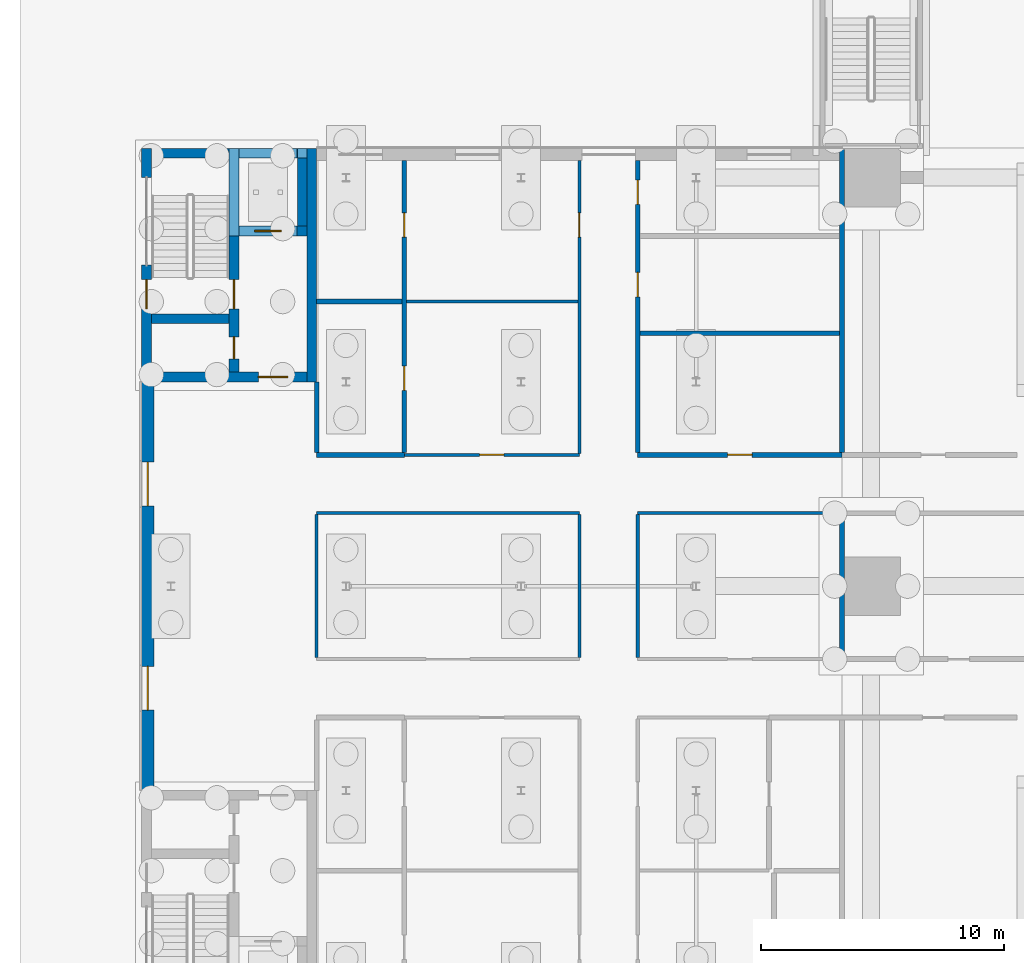
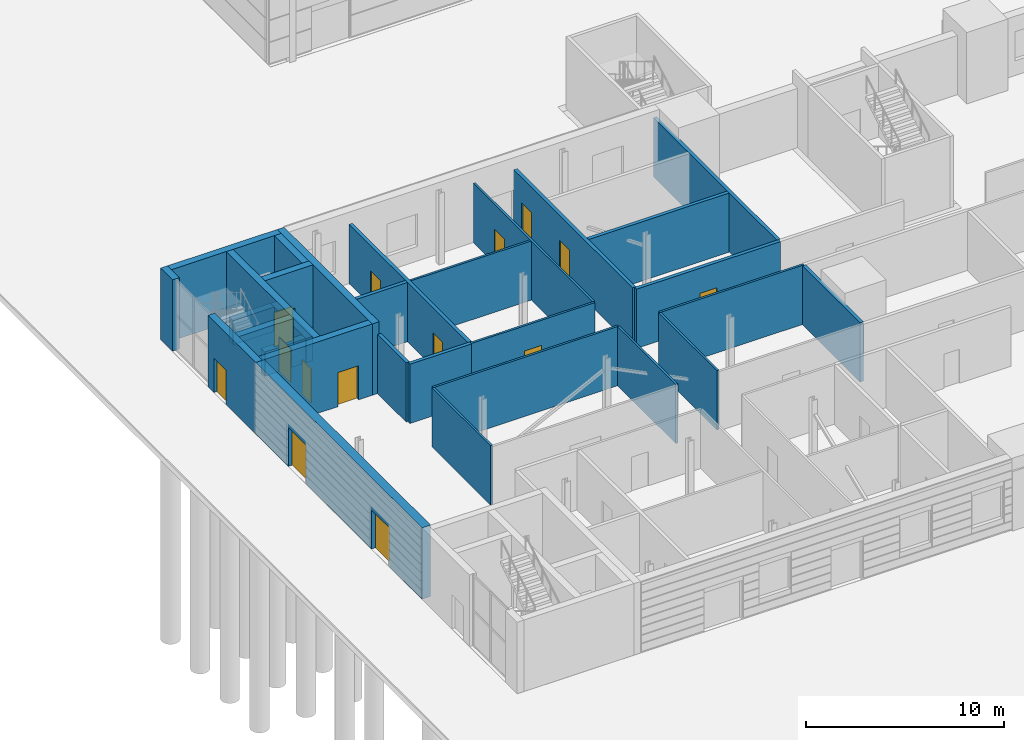
# One storey, part 79 of 139: 31 walls, 14 doors, 14 openings.
"""IFC4 building model written with IfcOpenShell, lengths in metres."""

import ifcopenshell
import ifcopenshell.guid

model = None  # the IFC model being written
_history = None  # IfcOwnerHistory: only IFC2X3 demands one
_inside = {}  # id of a spatial element -> (the spatial element, [elements in it])
_under = {}  # id of a project, library or spatial element -> (it, [spatial elements below it])
_declared = {}  # id of a project -> (the project, [libraries it declares])
_typed = {}  # id of a type object -> (the type object, [elements of that type])
_made_of = {}  # id of a material, layer set ... -> (it, [elements and type objects made of it])


def new_model(schema):
    """Start an empty IFC model of exactly this schema.

    Asked for "IFC4X3", IfcOpenShell would pick the latest addendum, in which some entities
    have other attributes; the version numbers below select the first issue.
    IFC2X3 requires an IfcOwnerHistory on every rooted entity: one is made here for all.
    """
    global model, _history
    if schema == "IFC4X3":
        model = ifcopenshell.file(schema_version=(4, 3, 0, 0))
    else:
        model = ifcopenshell.file(schema=schema)
    _inside.clear()
    _under.clear()
    _declared.clear()
    _typed.clear()
    _made_of.clear()
    _history = None
    if model.schema == "IFC2X3":
        org = make("IfcOrganization", Name="unknown")
        user = make(
            "IfcPersonAndOrganization",
            ThePerson=make("IfcPerson", FamilyName="unknown"),
            TheOrganization=org,
        )
        app = make(
            "IfcApplication",
            ApplicationDeveloper=org,
            Version="unknown",
            ApplicationFullName="unknown",
            ApplicationIdentifier="unknown",
        )
        _history = make(
            "IfcOwnerHistory",
            OwningUser=user,
            OwningApplication=app,
            ChangeAction="ADDED",
            CreationDate=0,
        )
    return model


def make(cls, **values):
    """One entity of the class cls with the attributes given. An attribute that is None is left unset."""
    return model.create_entity(
        cls, **{name: value for name, value in values.items() if value is not None}
    )


def rooted(cls, **values):
    """An entity with a GlobalId (a new one), such as an element, a storey or a relation."""
    return make(cls, GlobalId=ifcopenshell.guid.new(), OwnerHistory=_history, **values)


def si_unit(unit_type, name, prefix=None):
    """IfcSIUnit, for example si_unit("LENGTHUNIT", "METRE", prefix="MILLI")."""
    return make("IfcSIUnit", UnitType=unit_type, Prefix=prefix, Name=name)


def assignment(units):
    """IfcUnitAssignment: the units of a project."""
    return None if units is None else make("IfcUnitAssignment", Units=units)


def point(xyz):
    """IfcCartesianPoint."""
    return None if xyz is None else make("IfcCartesianPoint", Coordinates=xyz)


def direction(xyz):
    """IfcDirection."""
    return None if xyz is None else make("IfcDirection", DirectionRatios=xyz)


def frame(location, z_axis=None, x_axis=None):
    """IfcAxis2Placement3D, a coordinate frame: its origin and axes. An axis left out is left unset."""
    return make(
        "IfcAxis2Placement3D",
        Location=point(location),
        Axis=direction(z_axis),
        RefDirection=direction(x_axis),
    )


def frame_2d(location, x_axis=None):
    """IfcAxis2Placement2D, a coordinate frame in the plane: its origin and x axis."""
    return make(
        "IfcAxis2Placement2D", Location=point(location), RefDirection=direction(x_axis)
    )


def origin():
    """The frame at (0, 0, 0) with its axes left unset."""
    return frame((0.0, 0.0, 0.0))


def place(relative_to, where):
    """IfcLocalPlacement: puts the frame where relative to a parent placement (None: the world)."""
    return make(
        "IfcLocalPlacement", PlacementRelTo=relative_to, RelativePlacement=where
    )


def context(
    kind, dimensions, precision=None, world=None, true_north=None, identifier=None
):
    """IfcGeometricRepresentationContext, for example the 3D "Model" context."""
    return make(
        "IfcGeometricRepresentationContext",
        ContextIdentifier=identifier,
        ContextType=kind,
        CoordinateSpaceDimension=dimensions,
        Precision=precision,
        WorldCoordinateSystem=world,
        TrueNorth=true_north,
    )


def subcontext(parent, identifier, kind, view, scale=None):
    """IfcGeometricRepresentationSubContext, for example "Body" below "Model"."""
    return make(
        "IfcGeometricRepresentationSubContext",
        ContextIdentifier=identifier,
        ContextType=kind,
        ParentContext=parent,
        TargetScale=scale,
        TargetView=view,
    )


def project(units=None, contexts=None):
    """IfcProject with its units and contexts."""
    return rooted(
        "IfcProject",
        Name="project",
        RepresentationContexts=contexts,
        UnitsInContext=assignment(units),
    )


def spatial(cls, under=None, at=None, **own):
    """A site, building, storey or space (cls), placed at a placement, below another one or the project."""
    s = rooted(cls, ObjectPlacement=at, **own)
    if under is not None:
        _under.setdefault(under.id(), (under, []))[1].append(s)
    return s


def profile(cls, at=None, kind="AREA", **sizes):
    """A parametric profile (cls). Its sizes go by their IFC names, for example OverallWidth=200.0."""
    return make(cls, ProfileType=kind, Position=at, **sizes)


def rectangle(**sizes):
    """IfcRectangleProfileDef."""
    return profile("IfcRectangleProfileDef", **sizes)


def extrude(swept, where, along, depth):
    """IfcExtrudedAreaSolid: the profile swept, set in the frame where, extruded along a direction by depth."""
    return make(
        "IfcExtrudedAreaSolid",
        SweptArea=swept,
        Position=where,
        ExtrudedDirection=direction(along),
        Depth=depth,
    )


def shape(context_of_items, identifier, shape_type, items):
    """IfcShapeRepresentation: the items that make up one representation, for example the "Body"."""
    return make(
        "IfcShapeRepresentation",
        ContextOfItems=context_of_items,
        RepresentationIdentifier=identifier,
        RepresentationType=shape_type,
        Items=items,
    )


def material(Name=None, Category=None):
    """IfcMaterial."""
    return make("IfcMaterial", Name=Name, Category=Category)


def layer(
    of_material, thickness, ventilated=None, Name=None, Category=None, Priority=None
):
    """IfcMaterialLayer: one layer of a wall or slab, of a material (None: an air gap)."""
    return make(
        "IfcMaterialLayer",
        Material=of_material,
        LayerThickness=thickness,
        IsVentilated=ventilated,
        Name=Name,
        Category=Category,
        Priority=Priority,
    )


def layer_set(layers, Name=None):
    """IfcMaterialLayerSet."""
    return make("IfcMaterialLayerSet", MaterialLayers=layers, LayerSetName=Name)


def made_of(thing, what):
    """Note that an element or type object is made of a material, layer set ...; save() writes the relation."""
    if what is not None:
        _made_of.setdefault(what.id(), (what, []))[1].append(thing)
    return thing


def type_object(cls, material=None, **own):
    """A type object (cls), such as IfcWallType, which elements share."""
    return made_of(rooted(cls, **own), material)


def element(
    cls,
    number,
    at=None,
    inside=None,
    cuts=None,
    type_object=None,
    material=None,
    context=None,
    identifier="Body",
    shape_type=None,
    held_by="IfcProductDefinitionShape",
    body=None,
    shapes=None,
    **own,
):
    """One element of the class cls, such as IfcWall. Its Tag is "e" and its number.

    at: its placement. inside: the storey or other place that contains it. cuts: it is an
    opening in that element (IfcRelVoidsElement). A single representation is given by context,
    identifier, shape_type and body (its items); several are given by shapes. held_by: the class
    of the entity that holds the representations. save() writes the other relations.
    """
    e = rooted(cls, Tag="e%d" % number, ObjectPlacement=at, **own)
    if body is not None:
        shapes = [shape(context, identifier, shape_type, body)]
    if shapes is not None:
        e.Representation = make(held_by, Representations=shapes)
    if inside is not None:
        _inside.setdefault(inside.id(), (inside, []))[1].append(e)
    if cuts is not None:
        rooted(
            "IfcRelVoidsElement", RelatingBuildingElement=cuts, RelatedOpeningElement=e
        )
    if type_object is not None:
        _typed.setdefault(type_object.id(), (type_object, []))[1].append(e)
    return made_of(e, material)


def fill(opening, filler):
    """IfcRelFillsElement: the door or window that sits in an opening."""
    return rooted(
        "IfcRelFillsElement",
        RelatingOpeningElement=opening,
        RelatedBuildingElement=filler,
    )


def aggregate(whole, parts):
    """IfcRelAggregates: a whole, such as a stair, and the parts it consists of."""
    return rooted("IfcRelAggregates", RelatingObject=whole, RelatedObjects=parts)


def save(model, path):
    """Write the relations noted so far, then the file.

    IfcRelAggregates (storeys below a building ...), IfcRelContainedInSpatialStructure (elements
    in a storey), IfcRelDefinesByType, IfcRelAssociatesMaterial and IfcRelDeclares: one each for
    every whole, place, type object, material and project.
    """
    for whole, parts in _under.values():
        aggregate(whole, parts)
    for where, things in _inside.values():
        rooted(
            "IfcRelContainedInSpatialStructure",
            RelatedElements=things,
            RelatingStructure=where,
        )
    for kind, things in _typed.values():
        rooted("IfcRelDefinesByType", RelatedObjects=things, RelatingType=kind)
    for what, things in _made_of.values():
        rooted("IfcRelAssociatesMaterial", RelatedObjects=things, RelatingMaterial=what)
    for by, libraries in _declared.values():
        rooted("IfcRelDeclares", RelatingContext=by, RelatedDefinitions=libraries)
    model.write(path)


model = new_model("IFC4")

# Units and contexts
model_context = context("Model", 3, precision=1e-05, world=origin(), true_north=direction((0.0, 1.0)))
body_context = subcontext(model_context, "Body", "Model", "MODEL_VIEW")
ifc_project = project(units=[si_unit("LENGTHUNIT", "METRE"), si_unit("AREAUNIT", "SQUARE_METRE"), si_unit("VOLUMEUNIT", "CUBIC_METRE"), si_unit("PLANEANGLEUNIT", "RADIAN"), si_unit("MASSUNIT", "GRAM", prefix="KILO")], contexts=[model_context])

# Site, building, storey
site_placement = place(None, origin())
site = spatial("IfcSite", under=ifc_project, at=site_placement, CompositionType="ELEMENT")
building_placement = place(site_placement, origin())
building = spatial("IfcBuilding", under=site, at=building_placement, Name="Verrick Yard Athletic Hall", CompositionType="ELEMENT")
storey_placement = place(building_placement, origin())
storey = spatial("IfcBuildingStorey", under=building, at=storey_placement, Name="L00", CompositionType="ELEMENT", Elevation=0.0)

# Wall, openings, doors
ifc_material_1 = material(Name="Concrete 35 MPa", Category="concrete")
ifc_layer_1 = layer(ifc_material_1, 0.39990234375)
ifc_layer_set_1 = layer_set([ifc_layer_1], Name="Core wall CR400")
wall_type_1 = type_object("IfcWallType", Name="Core wall CR400", PredefinedType="SHEAR", material=ifc_layer_set_1)
wall_1_placement = place(storey_placement, frame((13.800048828125, 44.800048828125, 0.0), z_axis=(0.0, 0.0, 1.0), x_axis=(0.0, 1.0, 0.0)))
wall_1 = element("IfcWall", 1, at=wall_1_placement, inside=storey, type_object=wall_type_1, Name="CORE-CB2-WP-L00", PredefinedType="SHEAR", context=body_context, shape_type="SweptSolid", body=[
    extrude(rectangle(XDim=8.800048828125, YDim=0.39990234375, at=frame_2d((4.39990234375, 0.0))), origin(), (0.0, 0.0, 1.0), 4.39990234375),
])
opening_1_placement = place(wall_1_placement, frame((2.60009765625, 0.0, 0.0)))
opening_1 = element("IfcOpeningElement", 2, at=opening_1_placement, cuts=wall_1, Name="Opening SD1", PredefinedType="OPENING", context=body_context, shape_type="SweptSolid", body=[
    extrude(rectangle(XDim=1.199951171875, YDim=2.10009765625, at=frame_2d((0.60009765625, 1.050048828125))), frame((0.0, 0.2099609375, 0.0), z_axis=(0.0, -1.0, 0.0), x_axis=(1.0, 0.0, 0.0)), (0.0, 0.0, 1.0), 0.419921875),
])
opening_2_placement = place(wall_1_placement, frame((0.550048828125, 0.0, 0.0)))
opening_2 = element("IfcOpeningElement", 3, at=opening_2_placement, cuts=wall_1, Name="Opening RD1", PredefinedType="OPENING", context=body_context, shape_type="SweptSolid", body=[
    extrude(rectangle(XDim=0.89990234375, YDim=2.10009765625, at=frame_2d((0.449951171875, 1.050048828125))), frame((0.0, 0.2099609375, 0.0), z_axis=(0.0, -1.0, 0.0), x_axis=(1.0, 0.0, 0.0)), (0.0, 0.0, 1.0), 0.419921875),
])
ifc_material_2 = material(Name="Hollow metal door leaf")
door_type_1 = type_object("IfcDoorType", Name="Core door RD1 900x2100", OperationType="NOTDEFINED", PredefinedType="DOOR", material=ifc_material_2)
door_1_placement = place(opening_2_placement, origin())
door_1 = element("IfcDoor", 4, at=door_1_placement, inside=storey, type_object=door_type_1, Name="CORE-CB2-WP-L00-DRD1-4580", OperationType="SINGLE_SWING_RIGHT", OverallHeight=2.10009765625, OverallWidth=0.89990234375, PredefinedType="DOOR", context=body_context, shape_type="SweptSolid", body=[
    extrude(rectangle(XDim=0.89990234375, YDim=2.10009765625, at=frame_2d((0.449951171875, 1.050048828125))), frame((0.0, 0.02490234375, 0.0), z_axis=(0.0, -1.0, 0.0), x_axis=(1.0, 0.0, 0.0)), (0.0, 0.0, 1.0), 0.050048828125),
])
fill(opening_2, door_1)
door_type_2 = type_object("IfcDoorType", Name="Core door SD1 1200x2100", OperationType="NOTDEFINED", PredefinedType="DOOR", material=ifc_material_2)
door_2_placement = place(opening_1_placement, origin())
door_2 = element("IfcDoor", 5, at=door_2_placement, inside=storey, type_object=door_type_2, Name="CORE-CB2-WP-L00-DSD1-4800", OperationType="SINGLE_SWING_RIGHT", OverallHeight=2.10009765625, OverallWidth=1.199951171875, PredefinedType="DOOR", context=body_context, shape_type="SweptSolid", body=[
    extrude(rectangle(XDim=1.199951171875, YDim=2.10009765625, at=frame_2d((0.60009765625, 1.050048828125))), frame((0.0, 0.02490234375, 0.0), z_axis=(0.0, -1.0, 0.0), x_axis=(1.0, 0.0, 0.0)), (0.0, 0.0, 1.0), 0.050048828125),
])
fill(opening_1, door_2)

# Wall
wall_2_placement = place(storey_placement, frame((10.39990234375, 47.0, 0.0), z_axis=(0.0, 0.0, 1.0), x_axis=(1.0, 0.0, 0.0)))
element("IfcWall", 6, at=wall_2_placement, inside=storey, type_object=wall_type_1, Name="CORE-CB2-WSN-L00", PredefinedType="SHEAR", context=body_context, shape_type="SweptSolid", body=[
    extrude(rectangle(XDim=3.2001953125, YDim=0.39990234375, at=frame_2d((1.60009765625, 0.0))), origin(), (0.0, 0.0, 1.0), 4.39990234375),
])

# Wall, opening, door
wall_3_placement = place(storey_placement, frame((14.0, 50.60009765625, 0.0), z_axis=(0.0, 0.0, 1.0), x_axis=(1.0, 0.0, 0.0)))
wall_3 = element("IfcWall", 7, at=wall_3_placement, inside=storey, type_object=wall_type_1, Name="CORE-CB2-WLN-L00", PredefinedType="SHEAR", context=body_context, shape_type="SweptSolid", body=[
    extrude(rectangle(XDim=2.800048828125, YDim=0.39990234375, at=frame_2d((1.39990234375, 0.0))), origin(), (0.0, 0.0, 1.0), 4.39990234375),
])
opening_3_placement = place(wall_3_placement, frame((0.64990234375, 0.0, 0.0)))
opening_3 = element("IfcOpeningElement", 8, at=opening_3_placement, cuts=wall_3, Name="Opening LD", PredefinedType="OPENING", context=body_context, shape_type="SweptSolid", body=[
    extrude(rectangle(XDim=1.10009765625, YDim=2.10009765625, at=frame_2d((0.550048828125, 1.050048828125))), frame((0.0, 0.2099609375, 0.0), z_axis=(0.0, -1.0, 0.0), x_axis=(1.0, 0.0, 0.0)), (0.0, 0.0, 1.0), 0.419921875),
])
ifc_material_3 = material(Name="Stainless steel landing door", Category="steel")
door_type_3 = type_object("IfcDoorType", Name="Lift landing door LD 1100x2100", OperationType="NOTDEFINED", PredefinedType="DOOR", material=ifc_material_3)
door_3_placement = place(opening_3_placement, origin())
door_3 = element("IfcDoor", 9, at=door_3_placement, inside=storey, type_object=door_type_3, Name="Lift landing door", OperationType="SLIDING_TO_RIGHT", OverallHeight=2.10009765625, OverallWidth=1.10009765625, PredefinedType="DOOR", context=body_context, shape_type="SweptSolid", body=[
    extrude(rectangle(XDim=1.10009765625, YDim=2.10009765625, at=frame_2d((0.550048828125, 1.050048828125))), frame((0.0, 0.02490234375, 0.0), z_axis=(0.0, -1.0, 0.0), x_axis=(1.0, 0.0, 0.0)), (0.0, 0.0, 1.0), 0.050048828125),
])
fill(opening_3, door_3)

# Walls
wall_4_placement = place(storey_placement, frame((16.60009765625, 50.800048828125, 0.0), z_axis=(0.0, 0.0, 1.0), x_axis=(0.0, 1.0, 0.0)))
element("IfcWall", 10, at=wall_4_placement, inside=storey, type_object=wall_type_1, Name="CORE-CB2-WLE-L00", PredefinedType="SHEAR", context=body_context, shape_type="SweptSolid", body=[
    extrude(rectangle(XDim=2.800048828125, YDim=0.39990234375, at=frame_2d((1.39990234375, 0.0))), origin(), (0.0, 0.0, 1.0), 4.39990234375),
])
for number, where, z_axis, x_axis, name in (
    (11, (13.800048828125, 50.39990234375, -1.5), (0.0, 0.0, 1.0), (0.0, 1.0, 0.0), "CORE-LF-CB2-PWW"),
    (12, (16.60009765625, 50.39990234375, -1.5), (0.0, 0.0, 1.0), (0.0, 1.0, 0.0), "CORE-LF-CB2-PWE"),
):
    element("IfcWall", number, at=place(storey_placement, frame(where, z_axis=z_axis, x_axis=x_axis)), inside=storey, type_object=wall_type_1, Name=name, PredefinedType="SHEAR", context=body_context, shape_type="SweptSolid", body=[
        extrude(rectangle(XDim=3.60009765625, YDim=0.39990234375, at=frame_2d((1.800048828125, 0.0))), origin(), (0.0, 0.0, 1.0), 1.5),
    ])
for number, where, z_axis, x_axis, name in (
    (13, (14.0, 50.60009765625, -1.5), (0.0, 0.0, 1.0), (1.0, 0.0, 0.0), "CORE-LF-CB2-PWS"),
    (14, (14.0, 53.800048828125, -1.5), (0.0, 0.0, 1.0), (1.0, 0.0, 0.0), "CORE-LF-CB2-PWN"),
):
    element("IfcWall", number, at=place(storey_placement, frame(where, z_axis=z_axis, x_axis=x_axis)), inside=storey, type_object=wall_type_1, Name=name, PredefinedType="SHEAR", context=body_context, shape_type="SweptSolid", body=[
        extrude(rectangle(XDim=2.39990234375, YDim=0.39990234375, at=frame_2d((1.199951171875, 0.0))), origin(), (0.0, 0.0, 1.0), 1.5),
    ])

# Wall, opening, door
ifc_layer_2 = layer(ifc_material_1, 0.39990234375)
ifc_layer_set_2 = layer_set([ifc_layer_2], Name="External core wall CR400")
wall_type_2 = type_object("IfcWallType", Name="External core wall CR400", PredefinedType="SHEAR", material=ifc_layer_set_2)
wall_5_placement = place(storey_placement, frame((10.199951171875, 44.39990234375, 0.0), z_axis=(0.0, 0.0, 1.0), x_axis=(0.0, 1.0, 0.0)))
wall_5 = element("IfcWall", 15, at=wall_5_placement, inside=storey, type_object=wall_type_2, Name="CORE-CB2-WW-L00-0", PredefinedType="SHEAR", context=body_context, shape_type="SweptSolid", body=[
    extrude(rectangle(XDim=4.800048828125, YDim=0.39990234375, at=frame_2d((2.39990234375, 0.0))), origin(), (0.0, 0.0, 1.0), 4.39990234375),
])
opening_4_placement = place(wall_5_placement, frame((3.0, 0.0, 0.0)))
opening_4 = element("IfcOpeningElement", 16, at=opening_4_placement, cuts=wall_5, Name="Opening XD1", PredefinedType="OPENING", context=body_context, shape_type="SweptSolid", body=[
    extrude(rectangle(XDim=1.199951171875, YDim=2.10009765625, at=frame_2d((0.60009765625, 1.050048828125))), frame((0.0, 0.2099609375, 0.0), z_axis=(0.0, -1.0, 0.0), x_axis=(1.0, 0.0, 0.0)), (0.0, 0.0, 1.0), 0.419921875),
])
ifc_material_4 = material(Name="Aluminium door leaf", Category="aluminium")
door_type_4 = type_object("IfcDoorType", Name="Core door XD1 1200x2100", OperationType="NOTDEFINED", PredefinedType="DOOR", material=ifc_material_4)
door_4_placement = place(opening_4_placement, origin())
door_4 = element("IfcDoor", 17, at=door_4_placement, inside=storey, type_object=door_type_4, Name="CORE-CB2-WW-L00-0-DXD1-4800", OperationType="SINGLE_SWING_RIGHT", OverallHeight=2.10009765625, OverallWidth=1.199951171875, PredefinedType="DOOR", context=body_context, shape_type="SweptSolid", body=[
    extrude(rectangle(XDim=1.199951171875, YDim=2.10009765625, at=frame_2d((0.60009765625, 1.050048828125))), frame((0.0, 0.02490234375, 0.0), z_axis=(0.0, -1.0, 0.0), x_axis=(1.0, 0.0, 0.0)), (0.0, 0.0, 1.0), 0.050048828125),
])
fill(opening_4, door_4)

# Walls
wall_6_placement = place(storey_placement, frame((10.199951171875, 52.800048828125, 0.0), z_axis=(0.0, 0.0, 1.0), x_axis=(0.0, 1.0, 0.0)))
element("IfcWall", 18, at=wall_6_placement, inside=storey, type_object=wall_type_2, Name="CORE-CB2-WW-L00-1", PredefinedType="SHEAR", context=body_context, shape_type="SweptSolid", body=[
    extrude(rectangle(XDim=1.199951171875, YDim=0.39990234375, at=frame_2d((0.60009765625, 0.0))), origin(), (0.0, 0.0, 1.0), 4.39990234375),
])
wall_7_placement = place(storey_placement, frame((17.0, 44.39990234375, 0.0), z_axis=(0.0, 0.0, 1.0), x_axis=(0.0, 1.0, 0.0)))
element("IfcWall", 19, at=wall_7_placement, inside=storey, type_object=wall_type_2, Name="CORE-CB2-WE-L00", PredefinedType="SHEAR", context=body_context, shape_type="SweptSolid", body=[
    extrude(rectangle(XDim=9.60009765625, YDim=0.39990234375, at=frame_2d((4.800048828125, 0.0))), origin(), (0.0, 0.0, 1.0), 4.39990234375),
])
wall_8_placement = place(storey_placement, frame((10.39990234375, 53.800048828125, 0.0), z_axis=(0.0, 0.0, 1.0), x_axis=(1.0, 0.0, 0.0)))
element("IfcWall", 20, at=wall_8_placement, inside=storey, type_object=wall_type_2, Name="CORE-CB2-WS-L00", PredefinedType="SHEAR", context=body_context, shape_type="SweptSolid", body=[
    extrude(rectangle(XDim=6.400146484375, YDim=0.39990234375, at=frame_2d((3.2001953125, 0.0))), origin(), (0.0, 0.0, 1.0), 4.39990234375),
])

# Wall, opening, door
wall_9_placement = place(storey_placement, frame((10.39990234375, 44.60009765625, 0.0), z_axis=(0.0, 0.0, 1.0), x_axis=(1.0, 0.0, 0.0)))
wall_9 = element("IfcWall", 21, at=wall_9_placement, inside=storey, type_object=wall_type_2, Name="CORE-CB2-WN-L00", PredefinedType="SHEAR", context=body_context, shape_type="SweptSolid", body=[
    extrude(rectangle(XDim=6.400146484375, YDim=0.39990234375, at=frame_2d((3.2001953125, 0.0))), origin(), (0.0, 0.0, 1.0), 4.39990234375),
])
opening_5_placement = place(wall_9_placement, frame((4.39990234375, 0.0, 0.0)))
opening_5 = element("IfcOpeningElement", 22, at=opening_5_placement, cuts=wall_9, Name="Opening LB1", PredefinedType="OPENING", context=body_context, shape_type="SweptSolid", body=[
    extrude(rectangle(XDim=1.199951171875, YDim=2.10009765625, at=frame_2d((0.60009765625, 1.050048828125))), frame((0.0, 0.2099609375, 0.0), z_axis=(0.0, -1.0, 0.0), x_axis=(1.0, 0.0, 0.0)), (0.0, 0.0, 1.0), 0.419921875),
])
door_type_5 = type_object("IfcDoorType", Name="Core door LB1 1200x2100", OperationType="NOTDEFINED", PredefinedType="DOOR", material=ifc_material_2)
door_5_placement = place(opening_5_placement, origin())
door_5 = element("IfcDoor", 23, at=door_5_placement, inside=storey, type_object=door_type_5, Name="CORE-CB2-WN-L00-DLB1-1540", OperationType="SINGLE_SWING_RIGHT", OverallHeight=2.10009765625, OverallWidth=1.199951171875, PredefinedType="DOOR", context=body_context, shape_type="SweptSolid", body=[
    extrude(rectangle(XDim=1.199951171875, YDim=2.10009765625, at=frame_2d((0.60009765625, 1.050048828125))), frame((0.0, 0.02490234375, 0.0), z_axis=(0.0, -1.0, 0.0), x_axis=(1.0, 0.0, 0.0)), (0.0, 0.0, 1.0), 0.050048828125),
])
fill(opening_5, door_5)

# Wall
ifc_material_5 = material(Name="Concrete masonry block 15 MPa", Category="masonry")
ifc_layer_3 = layer(ifc_material_5, 0.199951171875)
ifc_layer_set_3 = layer_set([ifc_layer_3], Name="PW1 Block partition 200")
wall_type_3 = type_object("IfcWallType", Name="PW1 Block partition 200", PredefinedType="PARTITIONING", material=ifc_layer_set_3)
wall_10_placement = place(storey_placement, frame((17.199951171875, 41.39990234375, 0.0), z_axis=(0.0, 0.0, 1.0), x_axis=(1.0, 0.0, 0.0)))
element("IfcWall", 24, at=wall_10_placement, inside=storey, type_object=wall_type_3, Name="Partition PW1", PredefinedType="PARTITIONING", context=body_context, shape_type="SweptSolid", body=[
    extrude(rectangle(XDim=3.60009765625, YDim=0.199951171875, at=frame_2d((1.800048828125, 0.0))), origin(), (0.0, 0.0, 1.0), 3.64990234375),
])

# Wall, opening, door
wall_11_placement = place(storey_placement, frame((30.39990234375, 41.39990234375, 0.0), z_axis=(0.0, 0.0, 1.0), x_axis=(1.0, 0.0, 0.0)))
wall_11 = element("IfcWall", 25, at=wall_11_placement, inside=storey, type_object=wall_type_3, Name="Partition PW1", PredefinedType="PARTITIONING", context=body_context, shape_type="SweptSolid", body=[
    extrude(rectangle(XDim=8.400146484375, YDim=0.199951171875, at=frame_2d((4.2001953125, 0.0))), origin(), (0.0, 0.0, 1.0), 3.64990234375),
])
opening_6_placement = place(wall_11_placement, frame((3.699951171875, 0.0, 0.0)))
opening_6 = element("IfcOpeningElement", 26, at=opening_6_placement, cuts=wall_11, Name="Opening D1", PredefinedType="OPENING", context=body_context, shape_type="SweptSolid", body=[
    extrude(rectangle(XDim=1.0, YDim=2.10009765625, at=frame_2d((0.5, 1.050048828125))), frame((0.0, 0.10986328125, 0.0), z_axis=(0.0, -1.0, 0.0), x_axis=(1.0, 0.0, 0.0)), (0.0, 0.0, 1.0), 0.219970703125),
])
ifc_material_6 = material(Name="Timber door leaf in steel frame", Category="steel")
door_type_6 = type_object("IfcDoorType", Name="D1 Single door 1000 x 2100", OperationType="NOTDEFINED", PredefinedType="DOOR", material=ifc_material_6)
door_6_placement = place(opening_6_placement, origin())
door_6 = element("IfcDoor", 27, at=door_6_placement, inside=storey, type_object=door_type_6, Name="D1 WC Women", OperationType="SINGLE_SWING_LEFT", OverallHeight=2.10009765625, OverallWidth=1.0, PredefinedType="DOOR", context=body_context, shape_type="SweptSolid", body=[
    extrude(rectangle(XDim=1.0, YDim=2.10009765625, at=frame_2d((0.5, 1.050048828125))), frame((0.0, 0.02490234375, 0.0), z_axis=(0.0, -1.0, 0.0), x_axis=(1.0, 0.0, 0.0)), (0.0, 0.0, 1.0), 0.050048828125),
])
fill(opening_6, door_6)

# Walls
wall_12_placement = place(storey_placement, frame((30.5, 46.39990234375, 0.0), z_axis=(0.0, 0.0, 1.0), x_axis=(1.0, 0.0, 0.0)))
element("IfcWall", 28, at=wall_12_placement, inside=storey, type_object=wall_type_3, Name="Partition PW1", PredefinedType="PARTITIONING", context=body_context, shape_type="SweptSolid", body=[
    extrude(rectangle(XDim=8.199951171875, YDim=0.199951171875, at=frame_2d((4.10009765625, 0.0))), origin(), (0.0, 0.0, 1.0), 3.64990234375),
])
wall_13_placement = place(storey_placement, frame((17.199951171875, 47.699951171875, 0.0), z_axis=(0.0, 0.0, 1.0), x_axis=(1.0, 0.0, 0.0)))
element("IfcWall", 29, at=wall_13_placement, inside=storey, type_object=wall_type_3, Name="Partition PW1", PredefinedType="PARTITIONING", context=body_context, shape_type="SweptSolid", body=[
    extrude(rectangle(XDim=3.5, YDim=0.199951171875, at=frame_2d((1.75, 0.0))), origin(), (0.0, 0.0, 1.0), 3.64990234375),
])
wall_14_placement = place(storey_placement, frame((17.199951171875, 41.5, 0.0), z_axis=(0.0, 0.0, 1.0), x_axis=(0.0, 1.0, 0.0)))
element("IfcWall", 30, at=wall_14_placement, inside=storey, type_object=wall_type_3, Name="Partition PW1", PredefinedType="PARTITIONING", context=body_context, shape_type="SweptSolid", body=[
    extrude(rectangle(XDim=2.89990234375, YDim=0.199951171875, at=frame_2d((1.449951171875, 0.0))), origin(), (0.0, 0.0, 1.0), 3.64990234375),
])

# Wall, openings, doors
wall_15_placement = place(storey_placement, frame((20.800048828125, 41.5, 0.0), z_axis=(0.0, 0.0, 1.0), x_axis=(0.0, 1.0, 0.0)))
wall_15 = element("IfcWall", 31, at=wall_15_placement, inside=storey, type_object=wall_type_3, Name="Partition PW1", PredefinedType="PARTITIONING", context=body_context, shape_type="SweptSolid", body=[
    extrude(rectangle(XDim=12.010009765625, YDim=0.199951171875, at=frame_2d((6.0048828125, 0.0))), origin(), (0.0, 0.0, 1.0), 3.64990234375),
])
opening_7_placement = place(wall_15_placement, frame((2.550048828125, 0.0, 0.0)))
opening_7 = element("IfcOpeningElement", 32, at=opening_7_placement, cuts=wall_15, Name="Opening D1", PredefinedType="OPENING", context=body_context, shape_type="SweptSolid", body=[
    extrude(rectangle(XDim=1.0, YDim=2.10009765625, at=frame_2d((0.5, 1.050048828125))), frame((0.0, 0.10986328125, 0.0), z_axis=(0.0, -1.0, 0.0), x_axis=(1.0, 0.0, 0.0)), (0.0, 0.0, 1.0), 0.219970703125),
])
opening_8_placement = place(wall_15_placement, frame((8.85009765625, 0.0, 0.0)))
opening_8 = element("IfcOpeningElement", 33, at=opening_8_placement, cuts=wall_15, Name="Opening D1", PredefinedType="OPENING", context=body_context, shape_type="SweptSolid", body=[
    extrude(rectangle(XDim=1.0, YDim=2.10009765625, at=frame_2d((0.5, 1.050048828125))), frame((0.0, 0.10986328125, 0.0), z_axis=(0.0, -1.0, 0.0), x_axis=(1.0, 0.0, 0.0)), (0.0, 0.0, 1.0), 0.219970703125),
])
door_7_placement = place(opening_7_placement, origin())
door_7 = element("IfcDoor", 34, at=door_7_placement, inside=storey, type_object=door_type_6, Name="D1 Shower Room 3", OperationType="SINGLE_SWING_LEFT", OverallHeight=2.10009765625, OverallWidth=1.0, PredefinedType="DOOR", context=body_context, shape_type="SweptSolid", body=[
    extrude(rectangle(XDim=1.0, YDim=2.10009765625, at=frame_2d((0.5, 1.050048828125))), frame((0.0, 0.02490234375, 0.0), z_axis=(0.0, -1.0, 0.0), x_axis=(1.0, 0.0, 0.0)), (0.0, 0.0, 1.0), 0.050048828125),
])
fill(opening_7, door_7)
door_8_placement = place(opening_8_placement, origin())
door_8 = element("IfcDoor", 35, at=door_8_placement, inside=storey, type_object=door_type_6, Name="D1 Shower Room 4", OperationType="SINGLE_SWING_LEFT", OverallHeight=2.10009765625, OverallWidth=1.0, PredefinedType="DOOR", context=body_context, shape_type="SweptSolid", body=[
    extrude(rectangle(XDim=1.0, YDim=2.10009765625, at=frame_2d((0.5, 1.050048828125))), frame((0.0, 0.02490234375, 0.0), z_axis=(0.0, -1.0, 0.0), x_axis=(1.0, 0.0, 0.0)), (0.0, 0.0, 1.0), 0.050048828125),
])
fill(opening_8, door_8)

wall_16_placement = place(storey_placement, frame((30.39990234375, 41.5, 0.0), z_axis=(0.0, 0.0, 1.0), x_axis=(0.0, 1.0, 0.0)))
wall_16 = element("IfcWall", 36, at=wall_16_placement, inside=storey, type_object=wall_type_3, Name="Partition PW1", PredefinedType="PARTITIONING", context=body_context, shape_type="SweptSolid", body=[
    extrude(rectangle(XDim=12.010009765625, YDim=0.199951171875, at=frame_2d((6.0048828125, 0.0))), origin(), (0.0, 0.0, 1.0), 3.64990234375),
])
opening_9_placement = place(wall_16_placement, frame((6.39990234375, 0.0, 0.0)))
opening_9 = element("IfcOpeningElement", 37, at=opening_9_placement, cuts=wall_16, Name="Opening D1", PredefinedType="OPENING", context=body_context, shape_type="SweptSolid", body=[
    extrude(rectangle(XDim=1.0, YDim=2.10009765625, at=frame_2d((0.5, 1.050048828125))), frame((0.0, 0.10986328125, 0.0), z_axis=(0.0, -1.0, 0.0), x_axis=(1.0, 0.0, 0.0)), (0.0, 0.0, 1.0), 0.219970703125),
])
opening_10_placement = place(wall_16_placement, frame((10.199951171875, 0.0, 0.0)))
opening_10 = element("IfcOpeningElement", 38, at=opening_10_placement, cuts=wall_16, Name="Opening D1", PredefinedType="OPENING", context=body_context, shape_type="SweptSolid", body=[
    extrude(rectangle(XDim=1.0, YDim=2.10009765625, at=frame_2d((0.5, 1.050048828125))), frame((0.0, 0.10986328125, 0.0), z_axis=(0.0, -1.0, 0.0), x_axis=(1.0, 0.0, 0.0)), (0.0, 0.0, 1.0), 0.219970703125),
])
door_9_placement = place(opening_9_placement, origin())
door_9 = element("IfcDoor", 39, at=door_9_placement, inside=storey, type_object=door_type_6, Name="D1 WC Men", OperationType="SINGLE_SWING_LEFT", OverallHeight=2.10009765625, OverallWidth=1.0, PredefinedType="DOOR", context=body_context, shape_type="SweptSolid", body=[
    extrude(rectangle(XDim=1.0, YDim=2.10009765625, at=frame_2d((0.5, 1.050048828125))), frame((0.0, 0.02490234375, 0.0), z_axis=(0.0, -1.0, 0.0), x_axis=(1.0, 0.0, 0.0)), (0.0, 0.0, 1.0), 0.050048828125),
])
fill(opening_9, door_9)
door_10_placement = place(opening_10_placement, origin())
door_10 = element("IfcDoor", 40, at=door_10_placement, inside=storey, type_object=door_type_6, Name="D1 Accessible WC", OperationType="SINGLE_SWING_RIGHT", OverallHeight=2.10009765625, OverallWidth=1.0, PredefinedType="DOOR", context=body_context, shape_type="SweptSolid", body=[
    extrude(rectangle(XDim=1.0, YDim=2.10009765625, at=frame_2d((0.5, 1.050048828125))), frame((0.0, 0.02490234375, 0.0), z_axis=(0.0, -1.0, 0.0), x_axis=(1.0, 0.0, 0.0)), (0.0, 0.0, 1.0), 0.050048828125),
])
fill(opening_10, door_10)

# Walls
ifc_material_7 = material(Name="Gypsum plasterboard on light-gauge studs")
ifc_layer_4 = layer(ifc_material_7, 0.125)
ifc_layer_set_4 = layer_set([ifc_layer_4], Name="PW2 Stud partition 125")
wall_type_4 = type_object("IfcWallType", Name="PW2 Stud partition 125", PredefinedType="PARTITIONING", material=ifc_layer_set_4)
wall_17_placement = place(storey_placement, frame((17.199951171875, 39.0, 0.0), z_axis=(0.0, 0.0, 1.0), x_axis=(1.0, 0.0, 0.0)))
element("IfcWall", 41, at=wall_17_placement, inside=storey, type_object=wall_type_4, Name="Partition PW2", PredefinedType="PARTITIONING", context=body_context, shape_type="SweptSolid", body=[
    extrude(rectangle(XDim=10.800048828125, YDim=0.125, at=frame_2d((5.39990234375, 0.0))), origin(), (0.0, 0.0, 1.0), 3.64990234375),
])
wall_18_placement = place(storey_placement, frame((30.39990234375, 39.0, 0.0), z_axis=(0.0, 0.0, 1.0), x_axis=(1.0, 0.0, 0.0)))
element("IfcWall", 42, at=wall_18_placement, inside=storey, type_object=wall_type_4, Name="Partition PW2", PredefinedType="PARTITIONING", context=body_context, shape_type="SweptSolid", body=[
    extrude(rectangle(XDim=8.400146484375, YDim=0.125, at=frame_2d((4.2001953125, 0.0))), origin(), (0.0, 0.0, 1.0), 3.64990234375),
])

# Wall, opening, door
wall_19_placement = place(storey_placement, frame((20.800048828125, 41.39990234375, 0.0), z_axis=(0.0, 0.0, 1.0), x_axis=(1.0, 0.0, 0.0)))
wall_19 = element("IfcWall", 43, at=wall_19_placement, inside=storey, type_object=wall_type_4, Name="Partition PW2", PredefinedType="PARTITIONING", context=body_context, shape_type="SweptSolid", body=[
    extrude(rectangle(XDim=7.199951171875, YDim=0.125, at=frame_2d((3.60009765625, 0.0))), origin(), (0.0, 0.0, 1.0), 3.64990234375),
])
opening_11_placement = place(wall_19_placement, frame((3.10009765625, 0.0, 0.0)))
opening_11 = element("IfcOpeningElement", 44, at=opening_11_placement, cuts=wall_19, Name="Opening D1", PredefinedType="OPENING", context=body_context, shape_type="SweptSolid", body=[
    extrude(rectangle(XDim=1.0, YDim=2.10009765625, at=frame_2d((0.5, 1.050048828125))), frame((0.0, 0.072509765625, 0.0), z_axis=(0.0, -1.0, 0.0), x_axis=(1.0, 0.0, 0.0)), (0.0, 0.0, 1.0), 0.14501953125),
])
door_11_placement = place(opening_11_placement, origin())
door_11 = element("IfcDoor", 45, at=door_11_placement, inside=storey, type_object=door_type_6, Name="D1 Team Changing Room 3", OperationType="SINGLE_SWING_LEFT", OverallHeight=2.10009765625, OverallWidth=1.0, PredefinedType="DOOR", context=body_context, shape_type="SweptSolid", body=[
    extrude(rectangle(XDim=1.0, YDim=2.10009765625, at=frame_2d((0.5, 1.050048828125))), frame((0.0, 0.02490234375, 0.0), z_axis=(0.0, -1.0, 0.0), x_axis=(1.0, 0.0, 0.0)), (0.0, 0.0, 1.0), 0.050048828125),
])
fill(opening_11, door_11)

# Walls
wall_20_placement = place(storey_placement, frame((20.89990234375, 47.699951171875, 0.0), z_axis=(0.0, 0.0, 1.0), x_axis=(1.0, 0.0, 0.0)))
element("IfcWall", 46, at=wall_20_placement, inside=storey, type_object=wall_type_4, Name="Partition PW2", PredefinedType="PARTITIONING", context=body_context, shape_type="SweptSolid", body=[
    extrude(rectangle(XDim=7.03759765625, YDim=0.125, at=frame_2d((3.518798828125, 0.0))), origin(), (0.0, 0.0, 1.0), 3.64990234375),
])
for number, where, z_axis, x_axis, name in (
    (47, (17.199951171875, 33.0625, 0.0), (0.0, 0.0, 1.0), (0.0, 1.0, 0.0), "Partition PW2"),
    (48, (28.0, 33.0625, 0.0), (0.0, 0.0, 1.0), (0.0, 1.0, 0.0), "Partition PW2"),
):
    element("IfcWall", number, at=place(storey_placement, frame(where, z_axis=z_axis, x_axis=x_axis)), inside=storey, type_object=wall_type_4, Name=name, PredefinedType="PARTITIONING", context=body_context, shape_type="SweptSolid", body=[
        extrude(rectangle(XDim=5.875, YDim=0.125, at=frame_2d((2.9375, 0.0))), origin(), (0.0, 0.0, 1.0), 3.64990234375),
    ])

# Wall, opening, door
wall_21_placement = place(storey_placement, frame((28.0, 41.46240234375, 0.0), z_axis=(0.0, 0.0, 1.0), x_axis=(0.0, 1.0, 0.0)))
wall_21 = element("IfcWall", 49, at=wall_21_placement, inside=storey, type_object=wall_type_4, Name="Partition PW2", PredefinedType="PARTITIONING", context=body_context, shape_type="SweptSolid", body=[
    extrude(rectangle(XDim=12.047607421875, YDim=0.125, at=frame_2d((6.02392578125, 0.0))), origin(), (0.0, 0.0, 1.0), 3.64990234375),
])
opening_12_placement = place(wall_21_placement, frame((8.887939453125, 0.0, 0.0)))
opening_12 = element("IfcOpeningElement", 50, at=opening_12_placement, cuts=wall_21, Name="Opening D1", PredefinedType="OPENING", context=body_context, shape_type="SweptSolid", body=[
    extrude(rectangle(XDim=1.0, YDim=2.10009765625, at=frame_2d((0.5, 1.050048828125))), frame((0.0, 0.072509765625, 0.0), z_axis=(0.0, -1.0, 0.0), x_axis=(1.0, 0.0, 0.0)), (0.0, 0.0, 1.0), 0.14501953125),
])
door_12_placement = place(opening_12_placement, origin())
door_12 = element("IfcDoor", 51, at=door_12_placement, inside=storey, type_object=door_type_6, Name="D1 Team Changing Room 4", OperationType="SINGLE_SWING_LEFT", OverallHeight=2.10009765625, OverallWidth=1.0, PredefinedType="DOOR", context=body_context, shape_type="SweptSolid", body=[
    extrude(rectangle(XDim=1.0, YDim=2.10009765625, at=frame_2d((0.5, 1.050048828125))), frame((0.0, 0.02490234375, 0.0), z_axis=(0.0, -1.0, 0.0), x_axis=(1.0, 0.0, 0.0)), (0.0, 0.0, 1.0), 0.050048828125),
])
fill(opening_12, door_12)

# Walls
wall_22_placement = place(storey_placement, frame((30.39990234375, 33.0625, 0.0), z_axis=(0.0, 0.0, 1.0), x_axis=(0.0, 1.0, 0.0)))
element("IfcWall", 52, at=wall_22_placement, inside=storey, type_object=wall_type_4, Name="Partition PW2", PredefinedType="PARTITIONING", context=body_context, shape_type="SweptSolid", body=[
    extrude(rectangle(XDim=5.875, YDim=0.125, at=frame_2d((2.9375, 0.0))), origin(), (0.0, 0.0, 1.0), 3.64990234375),
])
ifc_layer_5 = layer(ifc_material_5, 0.199951171875)
ifc_layer_set_5 = layer_set([ifc_layer_5], Name="PW3 Fire-rated block partition 200")
wall_type_5 = type_object("IfcWallType", Name="PW3 Fire-rated block partition 200", PredefinedType="PARTITIONING", material=ifc_layer_set_5)
wall_23_placement = place(storey_placement, frame((38.800048828125, 33.10009765625, 0.0), z_axis=(0.0, 0.0, 1.0), x_axis=(0.0, 1.0, 0.0)))
element("IfcWall", 53, at=wall_23_placement, inside=storey, type_object=wall_type_5, Name="Partition PW3", PredefinedType="PARTITIONING", context=body_context, shape_type="SweptSolid", body=[
    extrude(rectangle(XDim=5.7998046875, YDim=0.199951171875, at=frame_2d((2.89990234375, 0.0))), origin(), (0.0, 0.0, 1.0), 3.64990234375),
])
wall_24_placement = place(storey_placement, frame((38.800048828125, 41.5, 0.0), z_axis=(0.0, 0.0, 1.0), x_axis=(0.0, 1.0, 0.0)))
element("IfcWall", 54, at=wall_24_placement, inside=storey, type_object=wall_type_5, Name="Partition PW3", PredefinedType="PARTITIONING", context=body_context, shape_type="SweptSolid", body=[
    extrude(rectangle(XDim=12.449951171875, YDim=0.199951171875, at=frame_2d((6.22509765625, 0.0))), origin(), (0.0, 0.0, 1.0), 3.64990234375),
])

# Wall, openings, doors
ifc_material_8 = material(Name="Tyndall-stone-look precast cladding", Category="masonry")
ifc_layer_6 = layer(ifc_material_8, 0.125, Name="Tyndall-stone-look precast cladding")
ifc_material_9 = material(Name="Mineral wool insulation")
ifc_layer_7 = layer(ifc_material_9, 0.125, Name="Mineral wool insulation")
ifc_layer_8 = layer(ifc_material_1, 0.25, Name="Concrete 35 MPa")
ifc_layer_set_6 = layer_set([ifc_layer_6, ifc_layer_7, ifc_layer_8], Name="Wing base wall")
wall_type_6 = type_object("IfcWallType", Name="Wing base wall", PredefinedType="SOLIDWALL", material=ifc_layer_set_6)
wall_25_placement = place(storey_placement, frame((10.25, 27.60009765625, 0.0), z_axis=(0.0, 0.0, 1.0), x_axis=(0.0, 1.0, 0.0)))
wall_25 = element("IfcWall", 55, at=wall_25_placement, inside=storey, type_object=wall_type_6, Name="ENVB-WW-L00-1", PredefinedType="SOLIDWALL", context=body_context, shape_type="SweptSolid", body=[
    extrude(rectangle(XDim=16.7998046875, YDim=0.5, at=frame_2d((8.39990234375, 0.0))), origin(), (0.0, 0.0, 1.0), 4.39990234375),
])
opening_13_placement = place(wall_25_placement, frame((3.300048828125, 0.0, 0.0)))
opening_13 = element("IfcOpeningElement", 56, at=opening_13_placement, cuts=wall_25, Name="Opening ED26", PredefinedType="OPENING", context=body_context, shape_type="SweptSolid", body=[
    extrude(rectangle(XDim=1.800048828125, YDim=2.39990234375, at=frame_2d((0.89990234375, 1.199951171875))), frame((0.0, 0.260009765625, 0.0), z_axis=(0.0, -1.0, 0.0), x_axis=(1.0, 0.0, 0.0)), (0.0, 0.0, 1.0), 0.52001953125),
])
opening_14_placement = place(wall_25_placement, frame((11.699951171875, 0.0, 0.0)))
opening_14 = element("IfcOpeningElement", 57, at=opening_14_placement, cuts=wall_25, Name="Opening ED26", PredefinedType="OPENING", context=body_context, shape_type="SweptSolid", body=[
    extrude(rectangle(XDim=1.800048828125, YDim=2.39990234375, at=frame_2d((0.89990234375, 1.199951171875))), frame((0.0, 0.260009765625, 0.0), z_axis=(0.0, -1.0, 0.0), x_axis=(1.0, 0.0, 0.0)), (0.0, 0.0, 1.0), 0.52001953125),
])
ifc_material_10 = material(Name="Powder-coated aluminium door leaf", Category="aluminium")
door_type_7 = type_object("IfcDoorType", Name="Exterior garden door 1800", OperationType="NOTDEFINED", PredefinedType="DOOR", material=ifc_material_10)
door_13_placement = place(opening_13_placement, origin())
door_13 = element("IfcDoor", 58, at=door_13_placement, inside=storey, type_object=door_type_7, Name="Wing exit door west 1", OperationType="DOUBLE_DOOR_SINGLE_SWING", OverallHeight=2.39990234375, OverallWidth=1.800048828125, PredefinedType="DOOR", context=body_context, shape_type="SweptSolid", body=[
    extrude(rectangle(XDim=1.800048828125, YDim=2.39990234375, at=frame_2d((0.89990234375, 1.199951171875))), frame((0.0, 0.02490234375, 0.0), z_axis=(0.0, -1.0, 0.0), x_axis=(1.0, 0.0, 0.0)), (0.0, 0.0, 1.0), 0.050048828125),
])
fill(opening_13, door_13)
door_14_placement = place(opening_14_placement, origin())
door_14 = element("IfcDoor", 59, at=door_14_placement, inside=storey, type_object=door_type_7, Name="Wing exit door west 2", OperationType="DOUBLE_DOOR_SINGLE_SWING", OverallHeight=2.39990234375, OverallWidth=1.800048828125, PredefinedType="DOOR", context=body_context, shape_type="SweptSolid", body=[
    extrude(rectangle(XDim=1.800048828125, YDim=2.39990234375, at=frame_2d((0.89990234375, 1.199951171875))), frame((0.0, 0.02490234375, 0.0), z_axis=(0.0, -1.0, 0.0), x_axis=(1.0, 0.0, 0.0)), (0.0, 0.0, 1.0), 0.050048828125),
])
fill(opening_14, door_14)

save(model, "model.ifc")
